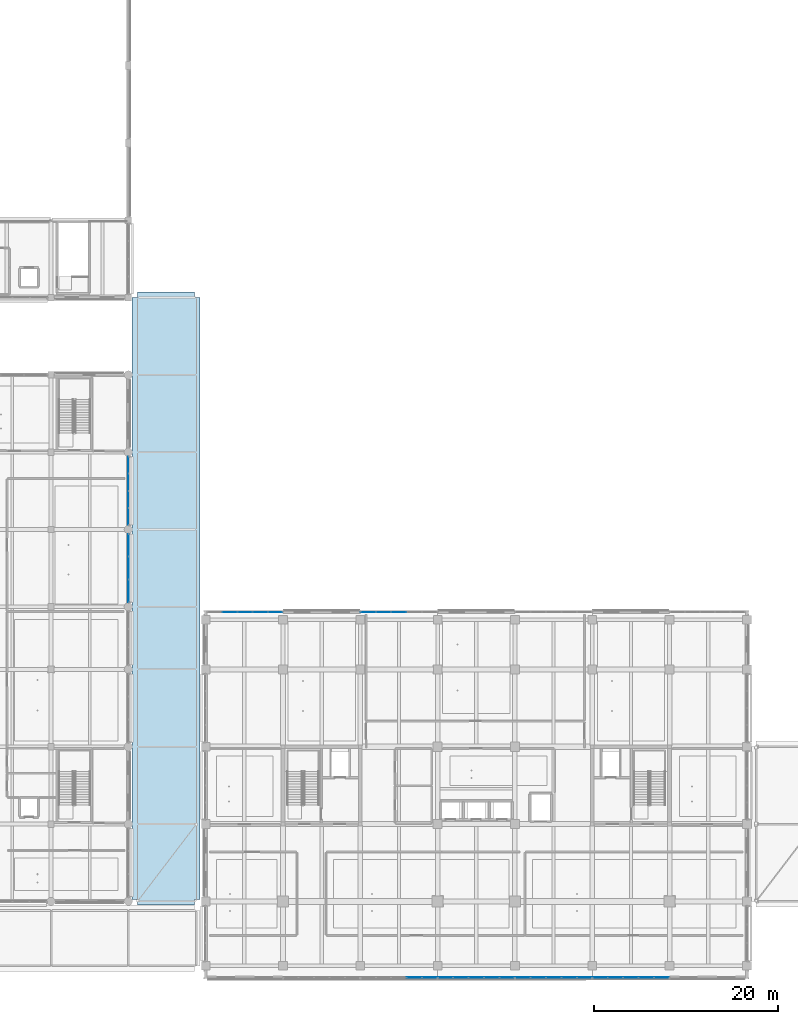
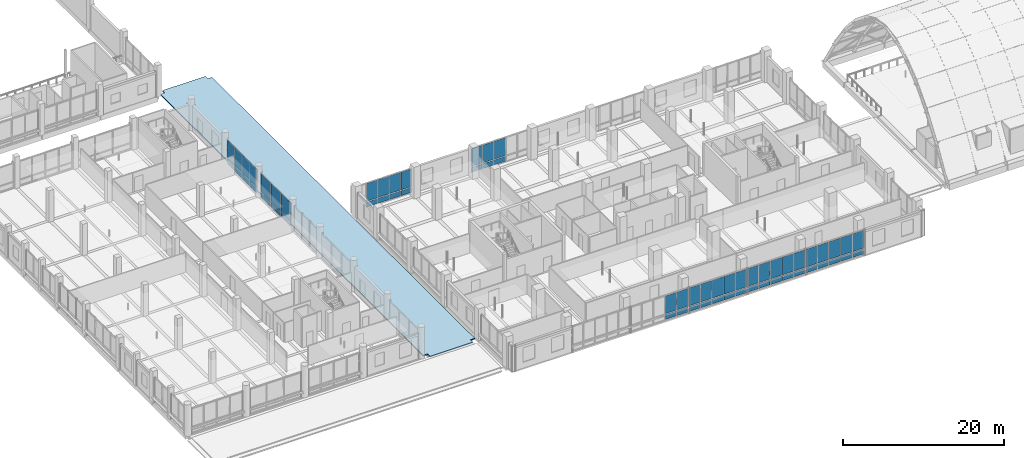
# One storey, part 40 of 128: 62 plates, 1 slab, 8 elements without a shape of their own.
"""IFC4 building model written with IfcOpenShell, lengths in metres."""

from ifc_helpers import new_model, si_unit, direction, frame, origin, origin_2d, place, context, subcontext, project, spatial, polyline, rectangle, outline, extrude, material, layer, layer_set, type_object, element, aggregate, save


model = new_model("IFC4")

# Units and contexts
model_context = context("Model", 3, precision=1e-05, world=origin(), true_north=direction((0.0, 1.0)))
body_context = subcontext(model_context, "Body", "Model", "MODEL_VIEW")
ifc_project = project(units=[si_unit("LENGTHUNIT", "METRE"), si_unit("AREAUNIT", "SQUARE_METRE"), si_unit("VOLUMEUNIT", "CUBIC_METRE"), si_unit("PLANEANGLEUNIT", "RADIAN"), si_unit("MASSUNIT", "GRAM", prefix="KILO")], contexts=[model_context])

# Site, building, storey
site_placement = place(None, origin())
site = spatial("IfcSite", under=ifc_project, at=site_placement, CompositionType="ELEMENT")
building_placement = place(site_placement, origin())
building = spatial("IfcBuilding", under=site, at=building_placement, Name="Telukmera Botanical Conservatory", CompositionType="ELEMENT")
storey_placement = place(building_placement, frame((0.0, 0.0, 5.39990234375)))
storey = spatial("IfcBuildingStorey", under=building, at=storey_placement, Name="L01", CompositionType="ELEMENT", Elevation=5.39990234375)

# Slab
ifc_material_1 = material(Name="Concrete C40/50", Category="concrete")
ifc_layer_1 = layer(ifc_material_1, 0.159912109375)
ifc_layer_set_1 = layer_set([ifc_layer_1], Name="Concrete C40/50")
slab_type = type_object("IfcSlabType", Name="Slab_RS16", PredefinedType="ROOF", material=ifc_layer_set_1)
slab_placement = place(storey_placement, frame((0.0, 0.0, -0.159912109375)))
element("IfcSlab", 1, at=slab_placement, inside=storey, type_object=slab_type, Name="Boulevard Canopy Roof Deck Slab (WEST_ARCADE)", PredefinedType="ROOF", context=body_context, shape_type="SweptSolid", body=[
    extrude(outline(polyline([(43.0, 17.199951171875), (49.199951171875, 17.199951171875), (49.199951171875, 17.800048828125), (49.800048828125, 17.800048828125), (49.800048828125, 83.199951171875), (49.199951171875, 83.199951171875), (49.199951171875, 83.800048828125), (43.0, 83.800048828125), (43.0, 83.199951171875), (42.39990234375, 83.199951171875), (42.39990234375, 17.800048828125), (43.0, 17.800048828125), (43.0, 17.199951171875)])), origin(), (0.0, 0.0, 1.0), 0.159912109375),
])

# Curtain wall, plates
ifc_material_2 = material(Name="Anodised aluminium 6063-T6", Category="aluminium")
ifc_layer_2 = layer(ifc_material_2, 0.179931640625)
ifc_layer_set_2 = layer_set([ifc_layer_2], Name="Anodised aluminium 6063-T6")
curtain_wall_type_1 = type_object("IfcCurtainWallType", Name="Visitor Gallery Second Floor Curtain Wall 2400 Mod", PredefinedType="USERDEFINED", material=ifc_layer_set_2)
curtain_wall_1_placement = place(storey_placement, origin())
curtain_wall_1 = element("IfcCurtainWall", 2, at=curtain_wall_1_placement, inside=storey, type_object=curtain_wall_type_1, Name="Unitised Curtain Wall CW09 V3:L01:E5", ObjectType="UNITISED CURTAIN WALL", PredefinedType="USERDEFINED")
ifc_material_3 = material(Name="Spectrally selective low-E double glazing", Category="glass")
ifc_layer_3 = layer(ifc_material_3, 0.0380859375)
ifc_layer_set_3 = layer_set([ifc_layer_3], Name="Spectrally selective low-E double glazing")
plate_type_1 = type_object("IfcPlateType", Name="Solar Control Fritted Spandrel Glazing Panel 38", PredefinedType="CURTAIN_PANEL", material=ifc_layer_set_3)
plate_1_placement = place(storey_placement, frame((42.0, 51.317626953125, 0.130126953125), z_axis=(0.0, 0.0, 1.0), x_axis=(0.0, 1.0, 0.0)))
plate_1 = element("IfcPlate", 3, at=plate_1_placement, type_object=plate_type_1, Name="CW09 panel 1.1", PredefinedType="CURTAIN_PANEL", context=body_context, shape_type="SweptSolid", body=[
    extrude(rectangle(XDim=2.401123046875, YDim=0.0380859375, at=origin_2d()), origin(), (0.0, 0.0, 1.0), 0.7548828125),
])
plate_2_placement = place(storey_placement, frame((42.0, 51.317626953125, 1.01513671875), z_axis=(0.0, 0.0, 1.0), x_axis=(0.0, 1.0, 0.0)))
plate_2 = element("IfcPlate", 4, at=plate_2_placement, type_object=plate_type_1, Name="CW09 panel 1.2", PredefinedType="CURTAIN_PANEL", context=body_context, shape_type="SweptSolid", body=[
    extrude(rectangle(XDim=2.401123046875, YDim=0.0380859375, at=origin_2d()), origin(), (0.0, 0.0, 1.0), 2.705078125),
])
plate_3_placement = place(storey_placement, frame((42.0, 53.800048828125, 0.130126953125), z_axis=(0.0, 0.0, 1.0), x_axis=(0.0, 1.0, 0.0)))
plate_3 = element("IfcPlate", 5, at=plate_3_placement, type_object=plate_type_1, Name="CW09 panel 2.1", PredefinedType="CURTAIN_PANEL", context=body_context, shape_type="SweptSolid", body=[
    extrude(rectangle(XDim=2.43359375, YDim=0.0380859375, at=origin_2d()), origin(), (0.0, 0.0, 1.0), 0.7548828125),
])
plate_4_placement = place(storey_placement, frame((42.0, 53.800048828125, 1.01513671875), z_axis=(0.0, 0.0, 1.0), x_axis=(0.0, 1.0, 0.0)))
plate_4 = element("IfcPlate", 6, at=plate_4_placement, type_object=plate_type_1, Name="CW09 panel 2.2", PredefinedType="CURTAIN_PANEL", context=body_context, shape_type="SweptSolid", body=[
    extrude(rectangle(XDim=2.43359375, YDim=0.0380859375, at=origin_2d()), origin(), (0.0, 0.0, 1.0), 2.705078125),
])
plate_5_placement = place(storey_placement, frame((42.0, 56.282470703125, 0.130126953125), z_axis=(0.0, 0.0, 1.0), x_axis=(0.0, 1.0, 0.0)))
plate_5 = element("IfcPlate", 7, at=plate_5_placement, type_object=plate_type_1, Name="CW09 panel 3.1", PredefinedType="CURTAIN_PANEL", context=body_context, shape_type="SweptSolid", body=[
    extrude(rectangle(XDim=2.401123046875, YDim=0.0380859375, at=origin_2d()), origin(), (0.0, 0.0, 1.0), 0.7548828125),
])
plate_6_placement = place(storey_placement, frame((42.0, 56.282470703125, 1.01513671875), z_axis=(0.0, 0.0, 1.0), x_axis=(0.0, 1.0, 0.0)))
plate_6 = element("IfcPlate", 8, at=plate_6_placement, type_object=plate_type_1, Name="CW09 panel 3.2", PredefinedType="CURTAIN_PANEL", context=body_context, shape_type="SweptSolid", body=[
    extrude(rectangle(XDim=2.401123046875, YDim=0.0380859375, at=origin_2d()), origin(), (0.0, 0.0, 1.0), 2.705078125),
])
aggregate(curtain_wall_1, [plate_1, plate_2, plate_3, plate_4, plate_5, plate_6])

ifc_layer_4 = layer(ifc_material_2, 0.179931640625)
ifc_layer_set_4 = layer_set([ifc_layer_4], Name="Anodised aluminium 6063-T6")
curtain_wall_type_2 = type_object("IfcCurtainWallType", Name="Visitor Gallery First Floor Curtain Wall 1800 Mod", PredefinedType="USERDEFINED", material=ifc_layer_set_4)
curtain_wall_2_placement = place(storey_placement, origin())
curtain_wall_2 = element("IfcCurtainWall", 9, at=curtain_wall_2_placement, inside=storey, type_object=curtain_wall_type_2, Name="Unitised Curtain Wall CW08 V3:L01:E6", ObjectType="UNITISED CURTAIN WALL", PredefinedType="USERDEFINED")
ifc_layer_5 = layer(ifc_material_3, 0.028076171875)
ifc_layer_set_5 = layer_set([ifc_layer_5], Name="Spectrally selective low-E double glazing")
plate_type_2 = type_object("IfcPlateType", Name="Spectrally Selective Vision Double Glazing Panel 28", PredefinedType="CURTAIN_PANEL", material=ifc_layer_set_5)
plate_7_placement = place(storey_placement, frame((42.0, 59.4052734375, 0.130126953125), z_axis=(0.0, 0.0, 1.0), x_axis=(0.0, 1.0, 0.0)))
plate_7 = element("IfcPlate", 10, at=plate_7_placement, type_object=plate_type_2, Name="CW08 panel 1.1", PredefinedType="CURTAIN_PANEL", context=body_context, shape_type="SweptSolid", body=[
    extrude(rectangle(XDim=1.776611328125, YDim=0.028076171875, at=origin_2d()), origin(), (0.0, 0.0, 1.0), 0.7548828125),
])
plate_8_placement = place(storey_placement, frame((42.0, 59.4052734375, 1.01513671875), z_axis=(0.0, 0.0, 1.0), x_axis=(0.0, 1.0, 0.0)))
plate_8 = element("IfcPlate", 11, at=plate_8_placement, type_object=plate_type_2, Name="CW08 panel 1.2", PredefinedType="CURTAIN_PANEL", context=body_context, shape_type="SweptSolid", body=[
    extrude(rectangle(XDim=1.776611328125, YDim=0.028076171875, at=origin_2d()), origin(), (0.0, 0.0, 1.0), 2.705078125),
])
plate_9_placement = place(storey_placement, frame((42.0, 61.262939453125, 0.130126953125), z_axis=(0.0, 0.0, 1.0), x_axis=(0.0, 1.0, 0.0)))
plate_9 = element("IfcPlate", 12, at=plate_9_placement, type_object=plate_type_2, Name="CW08 panel 2.1", PredefinedType="CURTAIN_PANEL", context=body_context, shape_type="SweptSolid", body=[
    extrude(rectangle(XDim=1.80908203125, YDim=0.028076171875, at=origin_2d()), origin(), (0.0, 0.0, 1.0), 0.7548828125),
])
plate_10_placement = place(storey_placement, frame((42.0, 61.262939453125, 1.01513671875), z_axis=(0.0, 0.0, 1.0), x_axis=(0.0, 1.0, 0.0)))
plate_10 = element("IfcPlate", 13, at=plate_10_placement, type_object=plate_type_2, Name="CW08 panel 2.2", PredefinedType="CURTAIN_PANEL", context=body_context, shape_type="SweptSolid", body=[
    extrude(rectangle(XDim=1.80908203125, YDim=0.028076171875, at=origin_2d()), origin(), (0.0, 0.0, 1.0), 2.705078125),
])
plate_11_placement = place(storey_placement, frame((42.0, 63.136962890625, 0.130126953125), z_axis=(0.0, 0.0, 1.0), x_axis=(0.0, 1.0, 0.0)))
plate_11 = element("IfcPlate", 14, at=plate_11_placement, type_object=plate_type_2, Name="CW08 panel 3.1", PredefinedType="CURTAIN_PANEL", context=body_context, shape_type="SweptSolid", body=[
    extrude(rectangle(XDim=1.80908203125, YDim=0.028076171875, at=origin_2d()), origin(), (0.0, 0.0, 1.0), 0.7548828125),
])
plate_12_placement = place(storey_placement, frame((42.0, 63.136962890625, 1.01513671875), z_axis=(0.0, 0.0, 1.0), x_axis=(0.0, 1.0, 0.0)))
plate_12 = element("IfcPlate", 15, at=plate_12_placement, type_object=plate_type_2, Name="CW08 panel 3.2", PredefinedType="CURTAIN_PANEL", context=body_context, shape_type="SweptSolid", body=[
    extrude(rectangle(XDim=1.80908203125, YDim=0.028076171875, at=origin_2d()), origin(), (0.0, 0.0, 1.0), 2.705078125),
])
plate_13_placement = place(storey_placement, frame((42.0, 64.99462890625, 0.130126953125), z_axis=(0.0, 0.0, 1.0), x_axis=(0.0, 1.0, 0.0)))
plate_13 = element("IfcPlate", 16, at=plate_13_placement, type_object=plate_type_2, Name="CW08 panel 4.1", PredefinedType="CURTAIN_PANEL", context=body_context, shape_type="SweptSolid", body=[
    extrude(rectangle(XDim=1.776611328125, YDim=0.028076171875, at=origin_2d()), origin(), (0.0, 0.0, 1.0), 0.7548828125),
])
plate_14_placement = place(storey_placement, frame((42.0, 64.99462890625, 1.01513671875), z_axis=(0.0, 0.0, 1.0), x_axis=(0.0, 1.0, 0.0)))
plate_14 = element("IfcPlate", 17, at=plate_14_placement, type_object=plate_type_2, Name="CW08 panel 4.2", PredefinedType="CURTAIN_PANEL", context=body_context, shape_type="SweptSolid", body=[
    extrude(rectangle(XDim=1.776611328125, YDim=0.028076171875, at=origin_2d()), origin(), (0.0, 0.0, 1.0), 2.705078125),
])
aggregate(curtain_wall_2, [plate_7, plate_8, plate_9, plate_10, plate_11, plate_12, plate_13, plate_14])

ifc_layer_6 = layer(ifc_material_2, 0.179931640625)
ifc_layer_set_6 = layer_set([ifc_layer_6], Name="Anodised aluminium 6063-T6")
curtain_wall_type_3 = type_object("IfcCurtainWallType", Name="Tower Reference Library Curtain Wall", PredefinedType="USERDEFINED", material=ifc_layer_set_6)
curtain_wall_3_placement = place(storey_placement, origin())
curtain_wall_3 = element("IfcCurtainWall", 18, at=curtain_wall_3_placement, inside=storey, type_object=curtain_wall_type_3, Name="Unitised Curtain Wall CW13 V4:L01:S3", ObjectType="UNITISED CURTAIN WALL", PredefinedType="USERDEFINED")
plate_15_placement = place(storey_placement, frame((73.0791015625, 9.320068359375, 0.130126953125), z_axis=(0.0, 0.0, 1.0), x_axis=(1.0, 0.0, 0.0)))
plate_15 = element("IfcPlate", 19, at=plate_15_placement, type_object=plate_type_2, Name="CW13 panel 4.1", PredefinedType="CURTAIN_PANEL", context=body_context, shape_type="SweptSolid", body=[
    extrude(rectangle(XDim=1.6142578125, YDim=0.028076171875, at=origin_2d()), origin(), (0.0, 0.0, 1.0), 0.7548828125),
])
plate_16_placement = place(storey_placement, frame((73.0791015625, 9.320068359375, 1.01513671875), z_axis=(0.0, 0.0, 1.0), x_axis=(1.0, 0.0, 0.0)))
plate_16 = element("IfcPlate", 20, at=plate_16_placement, type_object=plate_type_2, Name="CW13 panel 4.2", PredefinedType="CURTAIN_PANEL", context=body_context, shape_type="SweptSolid", body=[
    extrude(rectangle(XDim=1.6142578125, YDim=0.028076171875, at=origin_2d()), origin(), (0.0, 0.0, 1.0), 2.705078125),
])
plate_17_placement = place(storey_placement, frame((74.7421875, 9.320068359375, 0.130126953125), z_axis=(0.0, 0.0, 1.0), x_axis=(1.0, 0.0, 0.0)))
plate_17 = element("IfcPlate", 21, at=plate_17_placement, type_object=plate_type_2, Name="CW13 panel 5.1", PredefinedType="CURTAIN_PANEL", context=body_context, shape_type="SweptSolid", body=[
    extrude(rectangle(XDim=1.581787109375, YDim=0.028076171875, at=origin_2d()), origin(), (0.0, 0.0, 1.0), 0.7548828125),
])
plate_18_placement = place(storey_placement, frame((74.7421875, 9.320068359375, 1.01513671875), z_axis=(0.0, 0.0, 1.0), x_axis=(1.0, 0.0, 0.0)))
plate_18 = element("IfcPlate", 22, at=plate_18_placement, type_object=plate_type_2, Name="CW13 panel 5.2", PredefinedType="CURTAIN_PANEL", context=body_context, shape_type="SweptSolid", body=[
    extrude(rectangle(XDim=1.581787109375, YDim=0.028076171875, at=origin_2d()), origin(), (0.0, 0.0, 1.0), 2.705078125),
])
aggregate(curtain_wall_3, [plate_15, plate_16, plate_17, plate_18])

curtain_wall_4_placement = place(storey_placement, origin())
curtain_wall_4 = element("IfcCurtainWall", 23, at=curtain_wall_4_placement, inside=storey, type_object=curtain_wall_type_3, Name="Unitised Curtain Wall CW13 V4:L01:S4", ObjectType="UNITISED CURTAIN WALL", PredefinedType="USERDEFINED")
plate_19_placement = place(storey_placement, frame((76.457763671875, 9.320068359375, 0.130126953125), z_axis=(0.0, 0.0, 1.0), x_axis=(1.0, 0.0, 0.0)))
plate_19 = element("IfcPlate", 24, at=plate_19_placement, type_object=plate_type_2, Name="CW13 panel 1.1", PredefinedType="CURTAIN_PANEL", context=body_context, shape_type="SweptSolid", body=[
    extrude(rectangle(XDim=1.581787109375, YDim=0.028076171875, at=origin_2d()), origin(), (0.0, 0.0, 1.0), 0.7548828125),
])
plate_20_placement = place(storey_placement, frame((76.457763671875, 9.320068359375, 1.01513671875), z_axis=(0.0, 0.0, 1.0), x_axis=(1.0, 0.0, 0.0)))
plate_20 = element("IfcPlate", 25, at=plate_20_placement, type_object=plate_type_2, Name="CW13 panel 1.2", PredefinedType="CURTAIN_PANEL", context=body_context, shape_type="SweptSolid", body=[
    extrude(rectangle(XDim=1.581787109375, YDim=0.028076171875, at=origin_2d()), origin(), (0.0, 0.0, 1.0), 2.705078125),
])
plate_21_placement = place(storey_placement, frame((78.120849609375, 9.320068359375, 0.130126953125), z_axis=(0.0, 0.0, 1.0), x_axis=(1.0, 0.0, 0.0)))
plate_21 = element("IfcPlate", 26, at=plate_21_placement, type_object=plate_type_2, Name="CW13 panel 2.1", PredefinedType="CURTAIN_PANEL", context=body_context, shape_type="SweptSolid", body=[
    extrude(rectangle(XDim=1.6142578125, YDim=0.028076171875, at=origin_2d()), origin(), (0.0, 0.0, 1.0), 0.7548828125),
])
plate_22_placement = place(storey_placement, frame((78.120849609375, 9.320068359375, 1.01513671875), z_axis=(0.0, 0.0, 1.0), x_axis=(1.0, 0.0, 0.0)))
plate_22 = element("IfcPlate", 27, at=plate_22_placement, type_object=plate_type_2, Name="CW13 panel 2.2", PredefinedType="CURTAIN_PANEL", context=body_context, shape_type="SweptSolid", body=[
    extrude(rectangle(XDim=1.6142578125, YDim=0.028076171875, at=origin_2d()), origin(), (0.0, 0.0, 1.0), 2.705078125),
])
plate_23_placement = place(storey_placement, frame((79.800048828125, 9.320068359375, 0.130126953125), z_axis=(0.0, 0.0, 1.0), x_axis=(1.0, 0.0, 0.0)))
plate_23 = element("IfcPlate", 28, at=plate_23_placement, type_object=plate_type_2, Name="CW13 panel 3.1", PredefinedType="CURTAIN_PANEL", context=body_context, shape_type="SweptSolid", body=[
    extrude(rectangle(XDim=1.6142578125, YDim=0.028076171875, at=origin_2d()), origin(), (0.0, 0.0, 1.0), 0.7548828125),
])
plate_24_placement = place(storey_placement, frame((79.800048828125, 9.320068359375, 1.01513671875), z_axis=(0.0, 0.0, 1.0), x_axis=(1.0, 0.0, 0.0)))
plate_24 = element("IfcPlate", 29, at=plate_24_placement, type_object=plate_type_2, Name="CW13 panel 3.2", PredefinedType="CURTAIN_PANEL", context=body_context, shape_type="SweptSolid", body=[
    extrude(rectangle(XDim=1.6142578125, YDim=0.028076171875, at=origin_2d()), origin(), (0.0, 0.0, 1.0), 2.705078125),
])
plate_25_placement = place(storey_placement, frame((81.479248046875, 9.320068359375, 0.130126953125), z_axis=(0.0, 0.0, 1.0), x_axis=(1.0, 0.0, 0.0)))
plate_25 = element("IfcPlate", 30, at=plate_25_placement, type_object=plate_type_2, Name="CW13 panel 4.1", PredefinedType="CURTAIN_PANEL", context=body_context, shape_type="SweptSolid", body=[
    extrude(rectangle(XDim=1.6142578125, YDim=0.028076171875, at=origin_2d()), origin(), (0.0, 0.0, 1.0), 0.7548828125),
])
plate_26_placement = place(storey_placement, frame((81.479248046875, 9.320068359375, 1.01513671875), z_axis=(0.0, 0.0, 1.0), x_axis=(1.0, 0.0, 0.0)))
plate_26 = element("IfcPlate", 31, at=plate_26_placement, type_object=plate_type_2, Name="CW13 panel 4.2", PredefinedType="CURTAIN_PANEL", context=body_context, shape_type="SweptSolid", body=[
    extrude(rectangle(XDim=1.6142578125, YDim=0.028076171875, at=origin_2d()), origin(), (0.0, 0.0, 1.0), 2.705078125),
])
plate_27_placement = place(storey_placement, frame((83.14208984375, 9.320068359375, 0.130126953125), z_axis=(0.0, 0.0, 1.0), x_axis=(1.0, 0.0, 0.0)))
plate_27 = element("IfcPlate", 32, at=plate_27_placement, type_object=plate_type_2, Name="CW13 panel 5.1", PredefinedType="CURTAIN_PANEL", context=body_context, shape_type="SweptSolid", body=[
    extrude(rectangle(XDim=1.581787109375, YDim=0.028076171875, at=origin_2d()), origin(), (0.0, 0.0, 1.0), 0.7548828125),
])
plate_28_placement = place(storey_placement, frame((83.14208984375, 9.320068359375, 1.01513671875), z_axis=(0.0, 0.0, 1.0), x_axis=(1.0, 0.0, 0.0)))
plate_28 = element("IfcPlate", 33, at=plate_28_placement, type_object=plate_type_2, Name="CW13 panel 5.2", PredefinedType="CURTAIN_PANEL", context=body_context, shape_type="SweptSolid", body=[
    extrude(rectangle(XDim=1.581787109375, YDim=0.028076171875, at=origin_2d()), origin(), (0.0, 0.0, 1.0), 2.705078125),
])
aggregate(curtain_wall_4, [plate_19, plate_20, plate_21, plate_22, plate_23, plate_24, plate_25, plate_26, plate_27, plate_28])

curtain_wall_5_placement = place(storey_placement, origin())
curtain_wall_5 = element("IfcCurtainWall", 34, at=curtain_wall_5_placement, inside=storey, type_object=curtain_wall_type_3, Name="Unitised Curtain Wall CW13 V4:L01:S5", ObjectType="UNITISED CURTAIN WALL", PredefinedType="USERDEFINED")
plate_29_placement = place(storey_placement, frame((84.85791015625, 9.320068359375, 0.130126953125), z_axis=(0.0, 0.0, 1.0), x_axis=(1.0, 0.0, 0.0)))
plate_29 = element("IfcPlate", 35, at=plate_29_placement, type_object=plate_type_2, Name="CW13 panel 1.1", PredefinedType="CURTAIN_PANEL", context=body_context, shape_type="SweptSolid", body=[
    extrude(rectangle(XDim=1.581787109375, YDim=0.028076171875, at=origin_2d()), origin(), (0.0, 0.0, 1.0), 0.7548828125),
])
plate_30_placement = place(storey_placement, frame((84.85791015625, 9.320068359375, 1.01513671875), z_axis=(0.0, 0.0, 1.0), x_axis=(1.0, 0.0, 0.0)))
plate_30 = element("IfcPlate", 36, at=plate_30_placement, type_object=plate_type_2, Name="CW13 panel 1.2", PredefinedType="CURTAIN_PANEL", context=body_context, shape_type="SweptSolid", body=[
    extrude(rectangle(XDim=1.581787109375, YDim=0.028076171875, at=origin_2d()), origin(), (0.0, 0.0, 1.0), 2.705078125),
])
plate_31_placement = place(storey_placement, frame((86.520751953125, 9.320068359375, 0.130126953125), z_axis=(0.0, 0.0, 1.0), x_axis=(1.0, 0.0, 0.0)))
plate_31 = element("IfcPlate", 37, at=plate_31_placement, type_object=plate_type_2, Name="CW13 panel 2.1", PredefinedType="CURTAIN_PANEL", context=body_context, shape_type="SweptSolid", body=[
    extrude(rectangle(XDim=1.6142578125, YDim=0.028076171875, at=origin_2d()), origin(), (0.0, 0.0, 1.0), 0.7548828125),
])
plate_32_placement = place(storey_placement, frame((86.520751953125, 9.320068359375, 1.01513671875), z_axis=(0.0, 0.0, 1.0), x_axis=(1.0, 0.0, 0.0)))
plate_32 = element("IfcPlate", 38, at=plate_32_placement, type_object=plate_type_2, Name="CW13 panel 2.2", PredefinedType="CURTAIN_PANEL", context=body_context, shape_type="SweptSolid", body=[
    extrude(rectangle(XDim=1.6142578125, YDim=0.028076171875, at=origin_2d()), origin(), (0.0, 0.0, 1.0), 2.705078125),
])
plate_33_placement = place(storey_placement, frame((88.199951171875, 9.320068359375, 0.130126953125), z_axis=(0.0, 0.0, 1.0), x_axis=(1.0, 0.0, 0.0)))
plate_33 = element("IfcPlate", 39, at=plate_33_placement, type_object=plate_type_2, Name="CW13 panel 3.1", PredefinedType="CURTAIN_PANEL", context=body_context, shape_type="SweptSolid", body=[
    extrude(rectangle(XDim=1.6142578125, YDim=0.028076171875, at=origin_2d()), origin(), (0.0, 0.0, 1.0), 0.7548828125),
])
plate_34_placement = place(storey_placement, frame((88.199951171875, 9.320068359375, 1.01513671875), z_axis=(0.0, 0.0, 1.0), x_axis=(1.0, 0.0, 0.0)))
plate_34 = element("IfcPlate", 40, at=plate_34_placement, type_object=plate_type_2, Name="CW13 panel 3.2", PredefinedType="CURTAIN_PANEL", context=body_context, shape_type="SweptSolid", body=[
    extrude(rectangle(XDim=1.6142578125, YDim=0.028076171875, at=origin_2d()), origin(), (0.0, 0.0, 1.0), 2.705078125),
])
plate_35_placement = place(storey_placement, frame((89.879150390625, 9.320068359375, 0.130126953125), z_axis=(0.0, 0.0, 1.0), x_axis=(1.0, 0.0, 0.0)))
plate_35 = element("IfcPlate", 41, at=plate_35_placement, type_object=plate_type_2, Name="CW13 panel 4.1", PredefinedType="CURTAIN_PANEL", context=body_context, shape_type="SweptSolid", body=[
    extrude(rectangle(XDim=1.6142578125, YDim=0.028076171875, at=origin_2d()), origin(), (0.0, 0.0, 1.0), 0.7548828125),
])
plate_36_placement = place(storey_placement, frame((89.879150390625, 9.320068359375, 1.01513671875), z_axis=(0.0, 0.0, 1.0), x_axis=(1.0, 0.0, 0.0)))
plate_36 = element("IfcPlate", 42, at=plate_36_placement, type_object=plate_type_2, Name="CW13 panel 4.2", PredefinedType="CURTAIN_PANEL", context=body_context, shape_type="SweptSolid", body=[
    extrude(rectangle(XDim=1.6142578125, YDim=0.028076171875, at=origin_2d()), origin(), (0.0, 0.0, 1.0), 2.705078125),
])
plate_37_placement = place(storey_placement, frame((91.542236328125, 9.320068359375, 0.130126953125), z_axis=(0.0, 0.0, 1.0), x_axis=(1.0, 0.0, 0.0)))
plate_37 = element("IfcPlate", 43, at=plate_37_placement, type_object=plate_type_2, Name="CW13 panel 5.1", PredefinedType="CURTAIN_PANEL", context=body_context, shape_type="SweptSolid", body=[
    extrude(rectangle(XDim=1.581787109375, YDim=0.028076171875, at=origin_2d()), origin(), (0.0, 0.0, 1.0), 0.7548828125),
])
plate_38_placement = place(storey_placement, frame((91.542236328125, 9.320068359375, 1.01513671875), z_axis=(0.0, 0.0, 1.0), x_axis=(1.0, 0.0, 0.0)))
plate_38 = element("IfcPlate", 44, at=plate_38_placement, type_object=plate_type_2, Name="CW13 panel 5.2", PredefinedType="CURTAIN_PANEL", context=body_context, shape_type="SweptSolid", body=[
    extrude(rectangle(XDim=1.581787109375, YDim=0.028076171875, at=origin_2d()), origin(), (0.0, 0.0, 1.0), 2.705078125),
])
aggregate(curtain_wall_5, [plate_29, plate_30, plate_31, plate_32, plate_33, plate_34, plate_35, plate_36, plate_37, plate_38])

curtain_wall_6_placement = place(storey_placement, origin())
curtain_wall_6 = element("IfcCurtainWall", 45, at=curtain_wall_6_placement, inside=storey, type_object=curtain_wall_type_3, Name="Unitised Curtain Wall CW13 V4:L01:S6", ObjectType="UNITISED CURTAIN WALL", PredefinedType="USERDEFINED")
plate_39_placement = place(storey_placement, frame((93.2578125, 9.320068359375, 0.130126953125), z_axis=(0.0, 0.0, 1.0), x_axis=(1.0, 0.0, 0.0)))
plate_39 = element("IfcPlate", 46, at=plate_39_placement, type_object=plate_type_2, Name="CW13 panel 1.1", PredefinedType="CURTAIN_PANEL", context=body_context, shape_type="SweptSolid", body=[
    extrude(rectangle(XDim=1.581787109375, YDim=0.028076171875, at=origin_2d()), origin(), (0.0, 0.0, 1.0), 0.7548828125),
])
plate_40_placement = place(storey_placement, frame((93.2578125, 9.320068359375, 1.01513671875), z_axis=(0.0, 0.0, 1.0), x_axis=(1.0, 0.0, 0.0)))
plate_40 = element("IfcPlate", 47, at=plate_40_placement, type_object=plate_type_2, Name="CW13 panel 1.2", PredefinedType="CURTAIN_PANEL", context=body_context, shape_type="SweptSolid", body=[
    extrude(rectangle(XDim=1.581787109375, YDim=0.028076171875, at=origin_2d()), origin(), (0.0, 0.0, 1.0), 2.705078125),
])
plate_41_placement = place(storey_placement, frame((94.9208984375, 9.320068359375, 0.130126953125), z_axis=(0.0, 0.0, 1.0), x_axis=(1.0, 0.0, 0.0)))
plate_41 = element("IfcPlate", 48, at=plate_41_placement, type_object=plate_type_2, Name="CW13 panel 2.1", PredefinedType="CURTAIN_PANEL", context=body_context, shape_type="SweptSolid", body=[
    extrude(rectangle(XDim=1.6142578125, YDim=0.028076171875, at=origin_2d()), origin(), (0.0, 0.0, 1.0), 0.7548828125),
])
plate_42_placement = place(storey_placement, frame((94.9208984375, 9.320068359375, 1.01513671875), z_axis=(0.0, 0.0, 1.0), x_axis=(1.0, 0.0, 0.0)))
plate_42 = element("IfcPlate", 49, at=plate_42_placement, type_object=plate_type_2, Name="CW13 panel 2.2", PredefinedType="CURTAIN_PANEL", context=body_context, shape_type="SweptSolid", body=[
    extrude(rectangle(XDim=1.6142578125, YDim=0.028076171875, at=origin_2d()), origin(), (0.0, 0.0, 1.0), 2.705078125),
])
plate_43_placement = place(storey_placement, frame((96.60009765625, 9.320068359375, 0.130126953125), z_axis=(0.0, 0.0, 1.0), x_axis=(1.0, 0.0, 0.0)))
plate_43 = element("IfcPlate", 50, at=plate_43_placement, type_object=plate_type_2, Name="CW13 panel 3.1", PredefinedType="CURTAIN_PANEL", context=body_context, shape_type="SweptSolid", body=[
    extrude(rectangle(XDim=1.6142578125, YDim=0.028076171875, at=origin_2d()), origin(), (0.0, 0.0, 1.0), 0.7548828125),
])
plate_44_placement = place(storey_placement, frame((96.60009765625, 9.320068359375, 1.01513671875), z_axis=(0.0, 0.0, 1.0), x_axis=(1.0, 0.0, 0.0)))
plate_44 = element("IfcPlate", 51, at=plate_44_placement, type_object=plate_type_2, Name="CW13 panel 3.2", PredefinedType="CURTAIN_PANEL", context=body_context, shape_type="SweptSolid", body=[
    extrude(rectangle(XDim=1.6142578125, YDim=0.028076171875, at=origin_2d()), origin(), (0.0, 0.0, 1.0), 2.705078125),
])
plate_45_placement = place(storey_placement, frame((98.279296875, 9.320068359375, 0.130126953125), z_axis=(0.0, 0.0, 1.0), x_axis=(1.0, 0.0, 0.0)))
plate_45 = element("IfcPlate", 52, at=plate_45_placement, type_object=plate_type_2, Name="CW13 panel 4.1", PredefinedType="CURTAIN_PANEL", context=body_context, shape_type="SweptSolid", body=[
    extrude(rectangle(XDim=1.6142578125, YDim=0.028076171875, at=origin_2d()), origin(), (0.0, 0.0, 1.0), 0.7548828125),
])
plate_46_placement = place(storey_placement, frame((98.279296875, 9.320068359375, 1.01513671875), z_axis=(0.0, 0.0, 1.0), x_axis=(1.0, 0.0, 0.0)))
plate_46 = element("IfcPlate", 53, at=plate_46_placement, type_object=plate_type_2, Name="CW13 panel 4.2", PredefinedType="CURTAIN_PANEL", context=body_context, shape_type="SweptSolid", body=[
    extrude(rectangle(XDim=1.6142578125, YDim=0.028076171875, at=origin_2d()), origin(), (0.0, 0.0, 1.0), 2.705078125),
])
plate_47_placement = place(storey_placement, frame((99.942138671875, 9.320068359375, 0.130126953125), z_axis=(0.0, 0.0, 1.0), x_axis=(1.0, 0.0, 0.0)))
plate_47 = element("IfcPlate", 54, at=plate_47_placement, type_object=plate_type_2, Name="CW13 panel 5.1", PredefinedType="CURTAIN_PANEL", context=body_context, shape_type="SweptSolid", body=[
    extrude(rectangle(XDim=1.581787109375, YDim=0.028076171875, at=origin_2d()), origin(), (0.0, 0.0, 1.0), 0.7548828125),
])
plate_48_placement = place(storey_placement, frame((99.942138671875, 9.320068359375, 1.01513671875), z_axis=(0.0, 0.0, 1.0), x_axis=(1.0, 0.0, 0.0)))
plate_48 = element("IfcPlate", 55, at=plate_48_placement, type_object=plate_type_2, Name="CW13 panel 5.2", PredefinedType="CURTAIN_PANEL", context=body_context, shape_type="SweptSolid", body=[
    extrude(rectangle(XDim=1.581787109375, YDim=0.028076171875, at=origin_2d()), origin(), (0.0, 0.0, 1.0), 2.705078125),
])
aggregate(curtain_wall_6, [plate_39, plate_40, plate_41, plate_42, plate_43, plate_44, plate_45, plate_46, plate_47, plate_48])

curtain_wall_7_placement = place(storey_placement, origin())
curtain_wall_7 = element("IfcCurtainWall", 56, at=curtain_wall_7_placement, inside=storey, type_object=curtain_wall_type_3, Name="Unitised Curtain Wall CW13 V4:L01:N1", ObjectType="UNITISED CURTAIN WALL", PredefinedType="USERDEFINED")
plate_49_placement = place(storey_placement, frame((53.02587890625, 49.02001953125, 0.130126953125), z_axis=(0.0, 0.0, 1.0), x_axis=(1.0, 0.0, 0.0)))
plate_49 = element("IfcPlate", 57, at=plate_49_placement, type_object=plate_type_2, Name="CW13 panel 2.1", PredefinedType="CURTAIN_PANEL", context=body_context, shape_type="SweptSolid", body=[
    extrude(rectangle(XDim=1.584228515625, YDim=0.028076171875, at=origin_2d()), origin(), (0.0, 0.0, 1.0), 0.7548828125),
])
plate_50_placement = place(storey_placement, frame((53.02587890625, 49.02001953125, 1.01513671875), z_axis=(0.0, 0.0, 1.0), x_axis=(1.0, 0.0, 0.0)))
plate_50 = element("IfcPlate", 58, at=plate_50_placement, type_object=plate_type_2, Name="CW13 panel 2.2", PredefinedType="CURTAIN_PANEL", context=body_context, shape_type="SweptSolid", body=[
    extrude(rectangle(XDim=1.584228515625, YDim=0.028076171875, at=origin_2d()), origin(), (0.0, 0.0, 1.0), 2.705078125),
])
plate_51_placement = place(storey_placement, frame((54.675048828125, 49.02001953125, 0.130126953125), z_axis=(0.0, 0.0, 1.0), x_axis=(1.0, 0.0, 0.0)))
plate_51 = element("IfcPlate", 59, at=plate_51_placement, type_object=plate_type_2, Name="CW13 panel 3.1", PredefinedType="CURTAIN_PANEL", context=body_context, shape_type="SweptSolid", body=[
    extrude(rectangle(XDim=1.584228515625, YDim=0.028076171875, at=origin_2d()), origin(), (0.0, 0.0, 1.0), 0.7548828125),
])
plate_52_placement = place(storey_placement, frame((54.675048828125, 49.02001953125, 1.01513671875), z_axis=(0.0, 0.0, 1.0), x_axis=(1.0, 0.0, 0.0)))
plate_52 = element("IfcPlate", 60, at=plate_52_placement, type_object=plate_type_2, Name="CW13 panel 3.2", PredefinedType="CURTAIN_PANEL", context=body_context, shape_type="SweptSolid", body=[
    extrude(rectangle(XDim=1.584228515625, YDim=0.028076171875, at=origin_2d()), origin(), (0.0, 0.0, 1.0), 2.705078125),
])
plate_53_placement = place(storey_placement, frame((56.32421875, 49.02001953125, 0.130126953125), z_axis=(0.0, 0.0, 1.0), x_axis=(1.0, 0.0, 0.0)))
plate_53 = element("IfcPlate", 61, at=plate_53_placement, type_object=plate_type_2, Name="CW13 panel 4.1", PredefinedType="CURTAIN_PANEL", context=body_context, shape_type="SweptSolid", body=[
    extrude(rectangle(XDim=1.584228515625, YDim=0.028076171875, at=origin_2d()), origin(), (0.0, 0.0, 1.0), 0.7548828125),
])
plate_54_placement = place(storey_placement, frame((56.32421875, 49.02001953125, 1.01513671875), z_axis=(0.0, 0.0, 1.0), x_axis=(1.0, 0.0, 0.0)))
plate_54 = element("IfcPlate", 62, at=plate_54_placement, type_object=plate_type_2, Name="CW13 panel 4.2", PredefinedType="CURTAIN_PANEL", context=body_context, shape_type="SweptSolid", body=[
    extrude(rectangle(XDim=1.584228515625, YDim=0.028076171875, at=origin_2d()), origin(), (0.0, 0.0, 1.0), 2.705078125),
])
plate_55_placement = place(storey_placement, frame((57.95703125, 49.02001953125, 0.130126953125), z_axis=(0.0, 0.0, 1.0), x_axis=(1.0, 0.0, 0.0)))
plate_55 = element("IfcPlate", 63, at=plate_55_placement, type_object=plate_type_2, Name="CW13 panel 5.1", PredefinedType="CURTAIN_PANEL", context=body_context, shape_type="SweptSolid", body=[
    extrude(rectangle(XDim=1.5517578125, YDim=0.028076171875, at=origin_2d()), origin(), (0.0, 0.0, 1.0), 0.7548828125),
])
plate_56_placement = place(storey_placement, frame((57.95703125, 49.02001953125, 1.01513671875), z_axis=(0.0, 0.0, 1.0), x_axis=(1.0, 0.0, 0.0)))
plate_56 = element("IfcPlate", 64, at=plate_56_placement, type_object=plate_type_2, Name="CW13 panel 5.2", PredefinedType="CURTAIN_PANEL", context=body_context, shape_type="SweptSolid", body=[
    extrude(rectangle(XDim=1.5517578125, YDim=0.028076171875, at=origin_2d()), origin(), (0.0, 0.0, 1.0), 2.705078125),
])
aggregate(curtain_wall_7, [plate_49, plate_50, plate_51, plate_52, plate_53, plate_54, plate_55, plate_56])

curtain_wall_8_placement = place(storey_placement, origin())
curtain_wall_8 = element("IfcCurtainWall", 65, at=curtain_wall_8_placement, inside=storey, type_object=curtain_wall_type_3, Name="Unitised Curtain Wall CW13 V4:L01:N3", ObjectType="UNITISED CURTAIN WALL", PredefinedType="USERDEFINED")
plate_57_placement = place(storey_placement, frame((68.057861328125, 49.02001953125, 0.130126953125), z_axis=(0.0, 0.0, 1.0), x_axis=(1.0, 0.0, 0.0)))
plate_57 = element("IfcPlate", 66, at=plate_57_placement, type_object=plate_type_2, Name="CW13 panel 1.1", PredefinedType="CURTAIN_PANEL", context=body_context, shape_type="SweptSolid", body=[
    extrude(rectangle(XDim=1.581787109375, YDim=0.028076171875, at=origin_2d()), origin(), (0.0, 0.0, 1.0), 0.7548828125),
])
plate_58_placement = place(storey_placement, frame((68.057861328125, 49.02001953125, 1.01513671875), z_axis=(0.0, 0.0, 1.0), x_axis=(1.0, 0.0, 0.0)))
plate_58 = element("IfcPlate", 67, at=plate_58_placement, type_object=plate_type_2, Name="CW13 panel 1.2", PredefinedType="CURTAIN_PANEL", context=body_context, shape_type="SweptSolid", body=[
    extrude(rectangle(XDim=1.581787109375, YDim=0.028076171875, at=origin_2d()), origin(), (0.0, 0.0, 1.0), 2.705078125),
])
plate_59_placement = place(storey_placement, frame((69.720703125, 49.02001953125, 0.130126953125), z_axis=(0.0, 0.0, 1.0), x_axis=(1.0, 0.0, 0.0)))
plate_59 = element("IfcPlate", 68, at=plate_59_placement, type_object=plate_type_2, Name="CW13 panel 2.1", PredefinedType="CURTAIN_PANEL", context=body_context, shape_type="SweptSolid", body=[
    extrude(rectangle(XDim=1.6142578125, YDim=0.028076171875, at=origin_2d()), origin(), (0.0, 0.0, 1.0), 0.7548828125),
])
plate_60_placement = place(storey_placement, frame((69.720703125, 49.02001953125, 1.01513671875), z_axis=(0.0, 0.0, 1.0), x_axis=(1.0, 0.0, 0.0)))
plate_60 = element("IfcPlate", 69, at=plate_60_placement, type_object=plate_type_2, Name="CW13 panel 2.2", PredefinedType="CURTAIN_PANEL", context=body_context, shape_type="SweptSolid", body=[
    extrude(rectangle(XDim=1.6142578125, YDim=0.028076171875, at=origin_2d()), origin(), (0.0, 0.0, 1.0), 2.705078125),
])
plate_61_placement = place(storey_placement, frame((71.39990234375, 49.02001953125, 0.130126953125), z_axis=(0.0, 0.0, 1.0), x_axis=(1.0, 0.0, 0.0)))
plate_61 = element("IfcPlate", 70, at=plate_61_placement, type_object=plate_type_2, Name="CW13 panel 3.1", PredefinedType="CURTAIN_PANEL", context=body_context, shape_type="SweptSolid", body=[
    extrude(rectangle(XDim=1.6142578125, YDim=0.028076171875, at=origin_2d()), origin(), (0.0, 0.0, 1.0), 0.7548828125),
])
plate_62_placement = place(storey_placement, frame((71.39990234375, 49.02001953125, 1.01513671875), z_axis=(0.0, 0.0, 1.0), x_axis=(1.0, 0.0, 0.0)))
plate_62 = element("IfcPlate", 71, at=plate_62_placement, type_object=plate_type_2, Name="CW13 panel 3.2", PredefinedType="CURTAIN_PANEL", context=body_context, shape_type="SweptSolid", body=[
    extrude(rectangle(XDim=1.6142578125, YDim=0.028076171875, at=origin_2d()), origin(), (0.0, 0.0, 1.0), 2.705078125),
])
aggregate(curtain_wall_8, [plate_57, plate_58, plate_59, plate_60, plate_61, plate_62])

save(model, "model.ifc")
